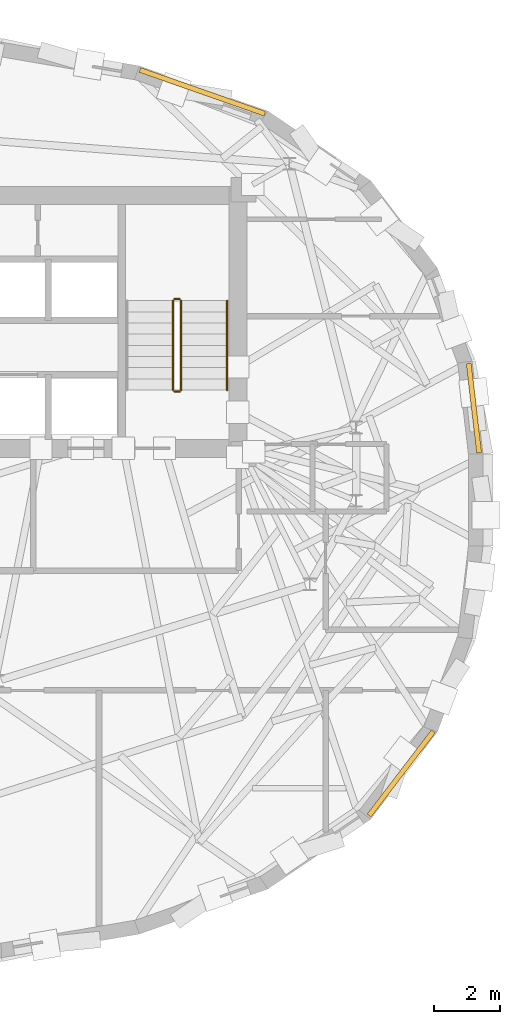
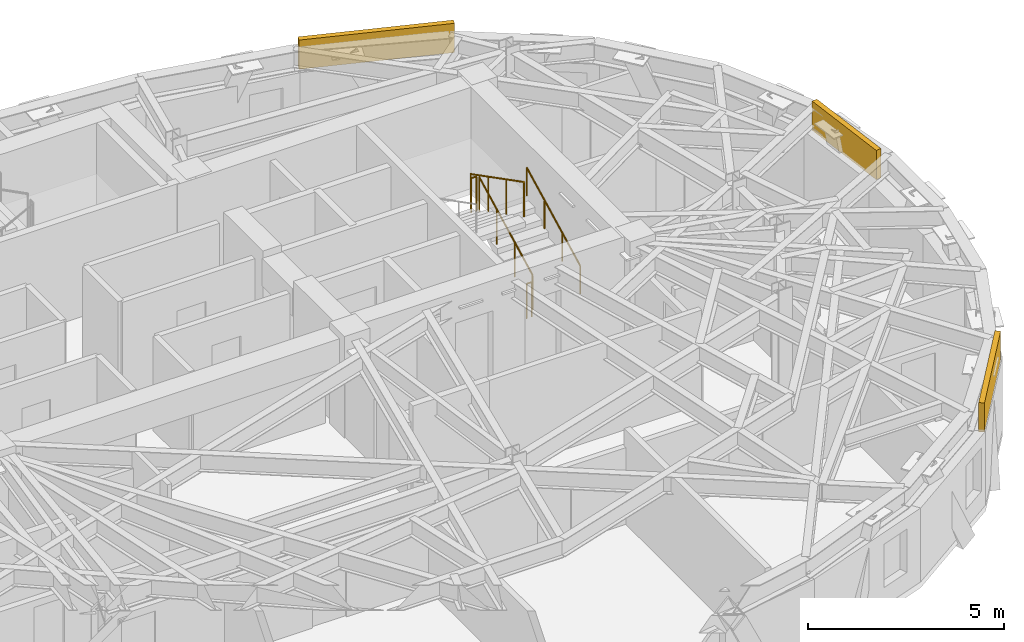
# One storey, part 12 of 12: 5 railings, 3 coverings.
"""IFC4 building model written with IfcOpenShell, lengths in metres."""

from ifc_helpers import new_model, si_unit, direction, frame, origin, origin_2d, place, context, subcontext, project, spatial, rectangle, circle, extrude, material, layer, layer_set, type_object, element, save


model = new_model("IFC4")

# Units and contexts
model_context = context("Model", 3, precision=1e-05, world=origin(), true_north=direction((0.0, 1.0)))
body_context = subcontext(model_context, "Body", "Model", "MODEL_VIEW")
ifc_project = project(units=[si_unit("LENGTHUNIT", "METRE"), si_unit("AREAUNIT", "SQUARE_METRE"), si_unit("VOLUMEUNIT", "CUBIC_METRE"), si_unit("PLANEANGLEUNIT", "RADIAN"), si_unit("MASSUNIT", "GRAM", prefix="KILO")], contexts=[model_context])

# Site, building, storey
site_placement = place(None, origin())
site = spatial("IfcSite", under=ifc_project, at=site_placement, CompositionType="ELEMENT")
building_placement = place(site_placement, origin())
building = spatial("IfcBuilding", under=site, at=building_placement, Name="Keldmark Tower", CompositionType="ELEMENT")
storey_placement = place(building_placement, frame((0.0, 0.0, 257.25)))
storey = spatial("IfcBuildingStorey", under=building, at=storey_placement, Name="L73", CompositionType="ELEMENT", Elevation=257.25)

# Coverings
ifc_material_1 = material(Name="Honed Kasota Buff Dolomitic Limestone", Category="masonry")
ifc_layer = layer(ifc_material_1, 0.074951171875)
ifc_layer_set = layer_set([ifc_layer], Name="Honed Kasota Buff Dolomitic Limestone")
covering_type = type_object("IfcCoveringType", Name="Kasota Buff Limestone Spandrel Cladding Band", PredefinedType="CLADDING", material=ifc_layer_set)
covering_1_placement = place(storey_placement, frame((20.616943359375, 2.799072265625, 2.22021484375), z_axis=(0.0, 0.0, 1.0), x_axis=(-0.11623737356, 0.993221462207, 0.0)))
element("IfcCovering", 1, at=covering_1_placement, inside=storey, type_object=covering_type, Name="L73 Kasota Limestone Spandrel Band 01", PredefinedType="CLADDING", context=body_context, shape_type="SweptSolid", body=[
    extrude(rectangle(XDim=2.732666015625, YDim=0.14990234375, at=origin_2d()), origin(), (0.0, 0.0, 1.0), 0.909912109375),
])
covering_2_placement = place(storey_placement, frame((12.3466796875, 12.431640625, 2.22021484375), z_axis=(0.0, 0.0, 1.0), x_axis=(-0.943569979028, 0.331173209479, 0.0)))
element("IfcCovering", 2, at=covering_2_placement, inside=storey, type_object=covering_type, Name="L73 Kasota Limestone Spandrel Band 05", PredefinedType="CLADDING", context=body_context, shape_type="SweptSolid", body=[
    extrude(rectangle(XDim=4.03125, YDim=0.14990234375, at=origin_2d()), origin(), (0.0, 0.0, 1.0), 0.909912109375),
])
covering_3_placement = place(storey_placement, frame((18.401611328125, -8.328857421875, 2.22021484375), z_axis=(0.0, 0.0, 1.0), x_axis=(0.606862702537, 0.794806681068, 0.0)))
element("IfcCovering", 3, at=covering_3_placement, inside=storey, type_object=covering_type, Name="L73 Kasota Limestone Spandrel Band 29", PredefinedType="CLADDING", context=body_context, shape_type="SweptSolid", body=[
    extrude(rectangle(XDim=3.22119140625, YDim=0.14990234375, at=origin_2d()), origin(), (0.0, 0.0, 1.0), 0.909912109375),
])

# Railings
ifc_material_2 = material(Name="Painted Steel ASTM A500 Grade B", Category="steel")
railing_type_1 = type_object("IfcRailingType", Name="Painted Steel Stair Well Guard 1100 mm", PredefinedType="GUARDRAIL", material=ifc_material_2)
railing_1_placement = place(storey_placement, frame((11.699951171875, 3.35009765625, 0.175048828125)))
element("IfcRailing", 4, at=railing_1_placement, inside=storey, type_object=railing_type_1, Name="L73 ST2 stair guard 1", PredefinedType="GUARDRAIL", context=body_context, shape_type="SweptSolid", body=[
    extrude(circle(Radius=0.02392578125, at=origin_2d()), frame((0.0, 0.0, 1.076171875), z_axis=(0.0, 0.889146794209, 0.457622091194), x_axis=(-1.0, 0.0, 0.0)), (0.0, 0.0, 1.0), 3.05908203125),
    extrude(circle(Radius=0.02099609375, at=origin_2d()), origin(), (0.0, 0.0, 1.0), 1.052001953125),
    extrude(circle(Radius=0.02099609375, at=origin_2d()), frame((0.0, 0.90673828125, 0.466552734375)), (0.0, 0.0, 1.0), 1.052001953125),
    extrude(circle(Radius=0.02099609375, at=origin_2d()), frame((0.0, 1.813232421875, 0.933349609375)), (0.0, 0.0, 1.0), 1.052001953125),
    extrude(circle(Radius=0.02099609375, at=origin_2d()), frame((0.0, 2.719970703125, 1.39990234375)), (0.0, 0.0, 1.0), 1.052001953125),
])
railing_2_placement = place(storey_placement, frame((11.64990234375, 6.1201171875, 1.574951171875)))
element("IfcRailing", 5, at=railing_2_placement, inside=storey, type_object=railing_type_1, Name="L73 ST2 stair guard 2", PredefinedType="GUARDRAIL", context=body_context, shape_type="SweptSolid", body=[
    extrude(circle(Radius=0.02392578125, at=origin_2d()), frame((0.0, 0.0, 1.076171875), z_axis=(-1.0, 0.0, 0.0), x_axis=(0.0, -1.0, 0.0)), (0.0, 0.0, 1.0), 0.14990234375),
    extrude(circle(Radius=0.02099609375, at=origin_2d()), origin(), (0.0, 0.0, 1.0), 1.052001953125),
    extrude(circle(Radius=0.02099609375, at=origin_2d()), frame((-0.14990234375, 0.0, 0.0)), (0.0, 0.0, 1.0), 1.052001953125),
])
railing_3_placement = place(storey_placement, frame((11.449951171875, 6.070068359375, 1.75)))
element("IfcRailing", 6, at=railing_3_placement, inside=storey, type_object=railing_type_1, Name="L73 ST2 stair guard 3", PredefinedType="GUARDRAIL", context=body_context, shape_type="SweptSolid", body=[
    extrude(circle(Radius=0.02392578125, at=origin_2d()), frame((0.0, 0.0, 1.076171875), z_axis=(0.0, -0.889146794209, 0.457622091194), x_axis=(1.0, 0.0, 0.0)), (0.0, 0.0, 1.0), 3.05908203125),
    extrude(circle(Radius=0.02099609375, at=origin_2d()), origin(), (0.0, 0.0, 1.0), 1.052001953125),
    extrude(circle(Radius=0.02099609375, at=origin_2d()), frame((0.0, -0.90673828125, 0.466552734375)), (0.0, 0.0, 1.0), 1.052001953125),
    extrude(circle(Radius=0.02099609375, at=origin_2d()), frame((0.0, -1.813232421875, 0.933349609375)), (0.0, 0.0, 1.0), 1.052001953125),
    extrude(circle(Radius=0.02099609375, at=origin_2d()), frame((0.0, -2.719970703125, 1.39990234375)), (0.0, 0.0, 1.0), 1.052001953125),
])
railing_4_placement = place(storey_placement, frame((11.64990234375, 3.300048828125, 0.0)))
element("IfcRailing", 7, at=railing_4_placement, inside=storey, type_object=railing_type_1, Name="L73 ST2 stair guard 4", PredefinedType="GUARDRAIL", context=body_context, shape_type="SweptSolid", body=[
    extrude(circle(Radius=0.02392578125, at=origin_2d()), frame((0.0, 0.0, 1.076171875), z_axis=(-1.0, 0.0, 0.0), x_axis=(0.0, -1.0, 0.0)), (0.0, 0.0, 1.0), 0.14990234375),
    extrude(circle(Radius=0.02099609375, at=origin_2d()), origin(), (0.0, 0.0, 1.0), 1.052001953125),
    extrude(circle(Radius=0.02099609375, at=origin_2d()), frame((-0.14990234375, 0.0, 0.0)), (0.0, 0.0, 1.0), 1.052001953125),
])
ifc_material_3 = material(Name="Stainless Steel AISI 316L", Category="steel")
railing_type_2 = type_object("IfcRailingType", Name="Stainless Steel Stair Handrail 900 mm", PredefinedType="HANDRAIL", material=ifc_material_3)
railing_5_placement = place(storey_placement, frame((13.10009765625, 3.35009765625, 0.175048828125)))
element("IfcRailing", 8, at=railing_5_placement, inside=storey, type_object=railing_type_2, Name="L73 ST2 stair handrail 1", PredefinedType="HANDRAIL", context=body_context, shape_type="SweptSolid", body=[
    extrude(circle(Radius=0.02392578125, at=origin_2d()), frame((0.0, 0.0, 0.8759765625), z_axis=(0.0, 0.889146794209, 0.457622091194), x_axis=(-1.0, 0.0, 0.0)), (0.0, 0.0, 1.0), 3.05908203125),
    extrude(circle(Radius=0.02099609375, at=origin_2d()), origin(), (0.0, 0.0, 1.0), 0.851806640625),
    extrude(circle(Radius=0.02099609375, at=origin_2d()), frame((0.0, 0.90673828125, 0.466552734375)), (0.0, 0.0, 1.0), 0.851806640625),
    extrude(circle(Radius=0.02099609375, at=origin_2d()), frame((0.0, 1.813232421875, 0.933349609375)), (0.0, 0.0, 1.0), 0.851806640625),
    extrude(circle(Radius=0.02099609375, at=origin_2d()), frame((0.0, 2.719970703125, 1.39990234375)), (0.0, 0.0, 1.0), 0.851806640625),
])

save(model, "model.ifc")
